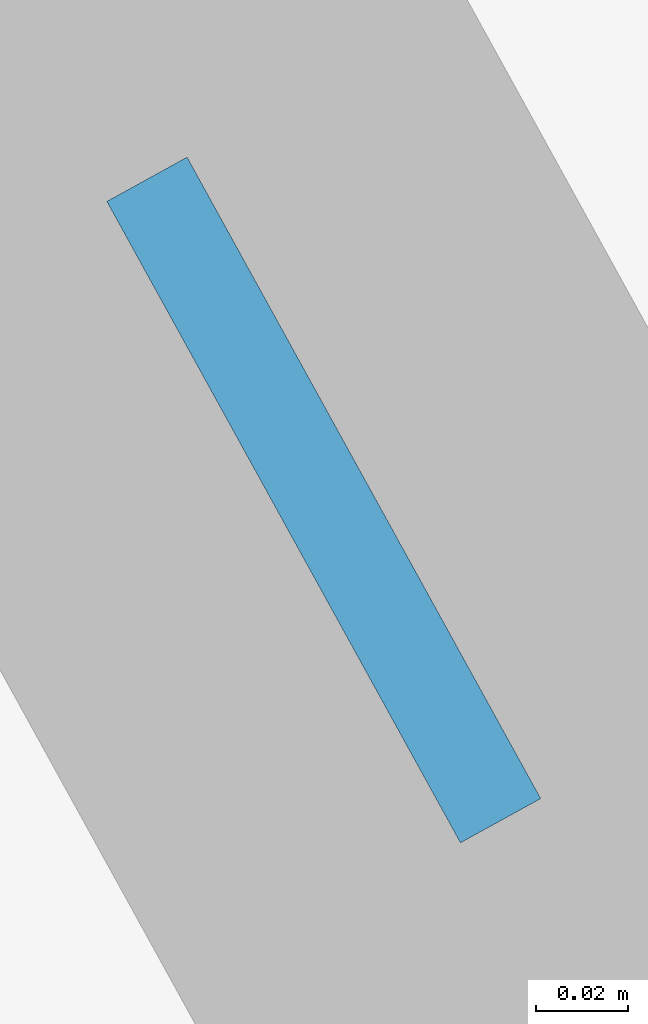
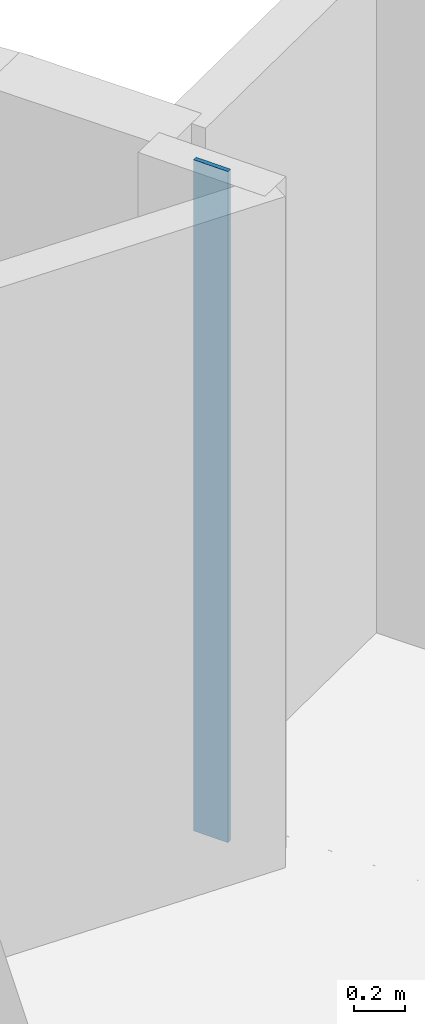
# One storey, part 2 of 8: 1 plate.
"""IFC4 building model written with IfcOpenShell, lengths in metres."""

from ifc_helpers import new_model, si_unit, direction, frame, origin, origin_2d, place, context, subcontext, project, spatial, rectangle, extrude, material, layer, layer_set, type_object, element, save


model = new_model("IFC4")

# Units and contexts
model_context = context("Model", 3, precision=1e-05, world=origin(), true_north=direction((0.0, 1.0)))
body_context = subcontext(model_context, "Body", "Model", "MODEL_VIEW")
ifc_project = project(units=[si_unit("LENGTHUNIT", "METRE"), si_unit("AREAUNIT", "SQUARE_METRE"), si_unit("VOLUMEUNIT", "CUBIC_METRE"), si_unit("PLANEANGLEUNIT", "RADIAN"), si_unit("MASSUNIT", "GRAM", prefix="KILO")], contexts=[model_context])

# Site, building, storey
site_placement = place(None, origin())
site = spatial("IfcSite", under=ifc_project, at=site_placement, CompositionType="ELEMENT")
building_placement = place(site_placement, origin())
building = spatial("IfcBuilding", under=site, at=building_placement, Name="Miruveldt Soraemaru", CompositionType="ELEMENT")
storey_placement = place(building_placement, frame((0.0, 0.0, 177.39990234375)))
storey = spatial("IfcBuildingStorey", under=building, at=storey_placement, Name="L49", CompositionType="ELEMENT", Elevation=177.39990234375)

# Plate
ifc_material = material(Name="Anodised aluminium EN AW-6063 T6", Category="aluminium")
ifc_layer = layer(ifc_material, 0.02001953125, Name="Anodised aluminium EN AW-6063 T6", Category="aluminium")
ifc_layer_set = layer_set([ifc_layer], Name="Anodised aluminium EN AW-6063 T6")
plate_type = type_object("IfcPlateType", Name="PLT-PART-TRIM", PredefinedType="SHEET", material=ifc_layer_set)
plate_placement = place(storey_placement, frame((56.688720703125, 54.822998046875, 0.0), z_axis=(0.0, 0.0, 1.0), x_axis=(-0.482823924874, 0.875717453046, 0.0)))
element("IfcPlate", 1, at=plate_placement, inside=storey, type_object=plate_type, Name="L49 Partition Step Corner Trim Plate 001", PredefinedType="SHEET", context=body_context, shape_type="SweptSolid", body=[
    extrude(rectangle(XDim=0.159912109375, YDim=0.02001953125, at=origin_2d()), origin(), (0.0, 0.0, 1.0), 3.235107421875),
])

save(model, "model.ifc")
